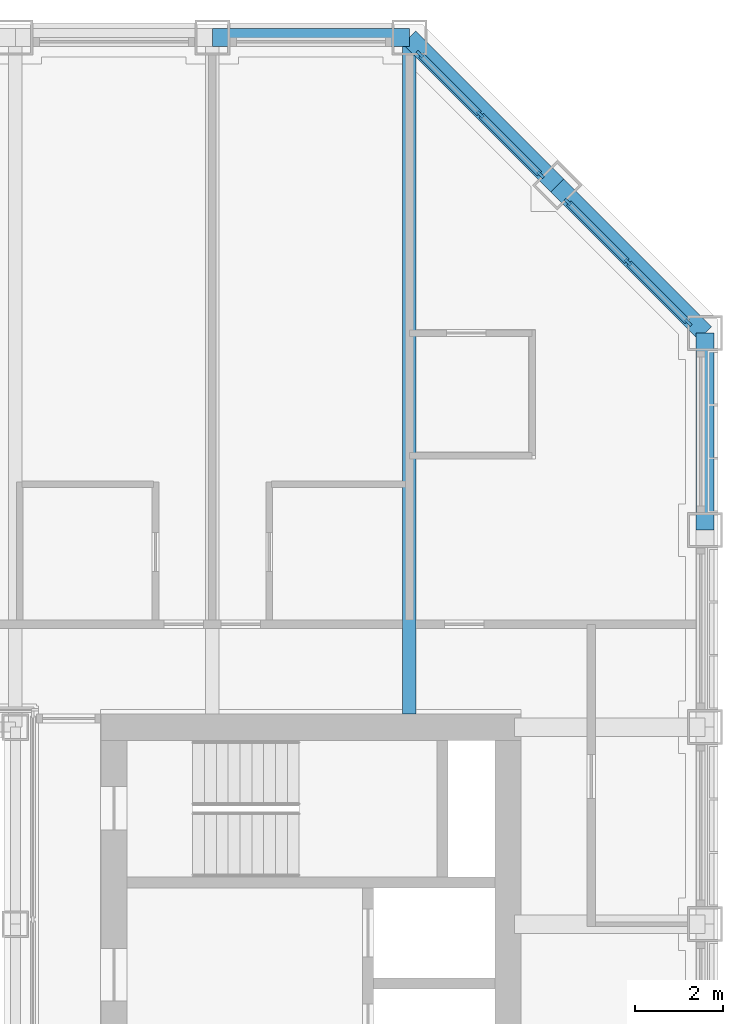
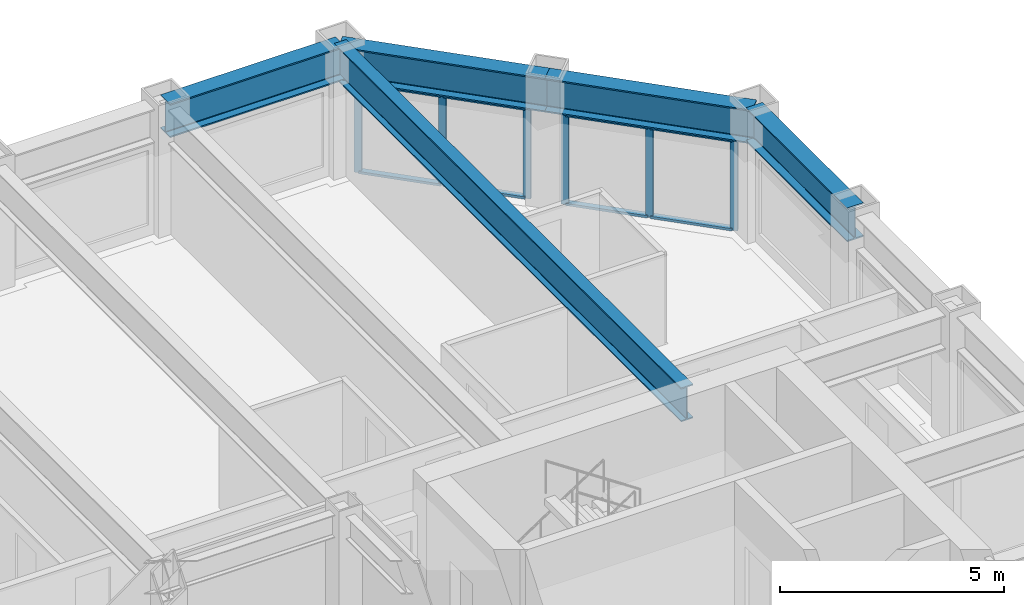
# One storey, part 8 of 17: 14 members, 5 beams, 2 elements without a shape of their own.
"""IFC4 building model written with IfcOpenShell, lengths in metres."""

from ifc_helpers import new_model, si_unit, direction, frame, origin, origin_2d, place, context, subcontext, project, spatial, rectangle, i_section, extrude, material, material_profile, profile_set, type_object, element, aggregate, save


model = new_model("IFC4")

# Units and contexts
model_context = context("Model", 3, precision=1e-05, world=origin(), true_north=direction((0.0, 1.0)))
body_context = subcontext(model_context, "Body", "Model", "MODEL_VIEW")
ifc_project = project(units=[si_unit("LENGTHUNIT", "METRE"), si_unit("AREAUNIT", "SQUARE_METRE"), si_unit("VOLUMEUNIT", "CUBIC_METRE"), si_unit("PLANEANGLEUNIT", "RADIAN"), si_unit("MASSUNIT", "GRAM", prefix="KILO")], contexts=[model_context])

# Site, building, storey
site_placement = place(None, origin())
site = spatial("IfcSite", under=ifc_project, at=site_placement, CompositionType="ELEMENT")
building_placement = place(site_placement, origin())
building = spatial("IfcBuilding", under=site, at=building_placement, Name="Msasa Ring Tower", CompositionType="ELEMENT")
storey_placement = place(building_placement, frame((0.0, 0.0, 150.800048828125)))
storey = spatial("IfcBuildingStorey", under=building, at=storey_placement, Name="L39", CompositionType="ELEMENT", Elevation=150.800048828125)

# Curtain wall, members
ifc_material_1 = material(Name="Aluminium curtain wall with clear glass", Category="aluminium")
curtain_wall_type = type_object("IfcCurtainWallType", Name="CW-C CHAMFER CORNER CURTAIN WALL", PredefinedType="NOTDEFINED", material=ifc_material_1)
curtain_wall_1_placement = place(storey_placement, origin())
curtain_wall_1 = element("IfcCurtainWall", 1, at=curtain_wall_1_placement, inside=storey, type_object=curtain_wall_type, Name="Chamfer corner curtain wall NE L39", PredefinedType="NOTDEFINED")
ifc_material_2 = material(Name="Aluminium mullion", Category="aluminium")
ifc_material_profile_1 = material_profile(ifc_material_2, rectangle(XDim=0.06494140625, YDim=0.179931640625, at=origin_2d()), Name="AL 65x180")
ifc_profile_set_1 = profile_set([ifc_material_profile_1], Name="Aluminium mullion")
member_type_1 = type_object("IfcMemberType", Name="CW-C MULLION 65x180", PredefinedType="MULLION", material=ifc_profile_set_1)
member_1_placement = place(storey_placement, frame((18.744873046875, 19.36376953125, 0.0), z_axis=(0.0, 0.0, 1.0), x_axis=(-0.707106781187, -0.707106781187, 0.0)))
member_1 = element("IfcMember", 2, at=member_1_placement, type_object=member_type_1, Name="CW-C mullion 1", PredefinedType="MULLION", context=body_context, shape_type="SweptSolid", body=[
    extrude(rectangle(XDim=0.06494140625, YDim=0.179931640625, at=origin_2d()), origin(), (0.0, 0.0, 1.0), 2.47900390625),
])
member_2_placement = place(storey_placement, frame((17.36669921875, 20.74169921875, 0.0), z_axis=(0.0, 0.0, 1.0), x_axis=(-0.707106781187, -0.707106781187, 0.0)))
member_2 = element("IfcMember", 3, at=member_2_placement, type_object=member_type_1, Name="CW-C mullion 2", PredefinedType="MULLION", context=body_context, shape_type="SweptSolid", body=[
    extrude(rectangle(XDim=0.06494140625, YDim=0.179931640625, at=origin_2d()), origin(), (0.0, 0.0, 1.0), 2.47900390625),
])
member_3_placement = place(storey_placement, frame((15.98876953125, 22.119873046875, 0.0), z_axis=(0.0, 0.0, 1.0), x_axis=(-0.707106781187, -0.707106781187, 0.0)))
member_3 = element("IfcMember", 4, at=member_3_placement, type_object=member_type_1, Name="CW-C mullion 3", PredefinedType="MULLION", context=body_context, shape_type="SweptSolid", body=[
    extrude(rectangle(XDim=0.06494140625, YDim=0.179931640625, at=origin_2d()), origin(), (0.0, 0.0, 1.0), 2.47900390625),
])

curtain_wall_2_placement = place(storey_placement, origin())
curtain_wall_2 = element("IfcCurtainWall", 5, at=curtain_wall_2_placement, inside=storey, type_object=curtain_wall_type, Name="Chamfer corner curtain wall NE L39", PredefinedType="NOTDEFINED")
member_4_placement = place(storey_placement, frame((22.119873046875, 15.98876953125, 0.0), z_axis=(0.0, 0.0, 1.0), x_axis=(-0.707106781187, -0.707106781187, 0.0)))
member_4 = element("IfcMember", 6, at=member_4_placement, type_object=member_type_1, Name="CW-C mullion 1", PredefinedType="MULLION", context=body_context, shape_type="SweptSolid", body=[
    extrude(rectangle(XDim=0.06494140625, YDim=0.179931640625, at=origin_2d()), origin(), (0.0, 0.0, 1.0), 2.47900390625),
])
member_5_placement = place(storey_placement, frame((20.74169921875, 17.36669921875, 0.0), z_axis=(0.0, 0.0, 1.0), x_axis=(-0.707106781187, -0.707106781187, 0.0)))
member_5 = element("IfcMember", 7, at=member_5_placement, type_object=member_type_1, Name="CW-C mullion 2", PredefinedType="MULLION", context=body_context, shape_type="SweptSolid", body=[
    extrude(rectangle(XDim=0.06494140625, YDim=0.179931640625, at=origin_2d()), origin(), (0.0, 0.0, 1.0), 2.47900390625),
])
member_6_placement = place(storey_placement, frame((19.36376953125, 18.744873046875, 0.0), z_axis=(0.0, 0.0, 1.0), x_axis=(-0.707106781187, -0.707106781187, 0.0)))
member_6 = element("IfcMember", 8, at=member_6_placement, type_object=member_type_1, Name="CW-C mullion 3", PredefinedType="MULLION", context=body_context, shape_type="SweptSolid", body=[
    extrude(rectangle(XDim=0.06494140625, YDim=0.179931640625, at=origin_2d()), origin(), (0.0, 0.0, 1.0), 2.47900390625),
])

# Member
ifc_material_3 = material(Name="Aluminium transom", Category="aluminium")
ifc_material_profile_2 = material_profile(ifc_material_3, rectangle(XDim=0.139892578125, YDim=0.06494140625, at=origin_2d()), Name="AL 65x140")
ifc_profile_set_2 = profile_set([ifc_material_profile_2], Name="Aluminium transom")
member_type_2 = type_object("IfcMemberType", Name="CW-C TRANSOM 65x140", PredefinedType="USERDEFINED", material=ifc_profile_set_2)
member_7_placement = place(storey_placement, frame((18.721923828125, 19.38671875, 0.032470703125), z_axis=(-0.707106781187, 0.707106781187, 0.0), x_axis=(-0.707106781187, -0.707106781187, 0.0)))
member_7 = element("IfcMember", 9, at=member_7_placement, type_object=member_type_2, Name="CW-C transom 1.1", ObjectType="TRANSOM", PredefinedType="USERDEFINED", context=body_context, shape_type="SweptSolid", body=[
    extrude(rectangle(XDim=0.139892578125, YDim=0.06494140625, at=origin_2d()), origin(), (0.0, 0.0, 1.0), 1.8837890625),
])

member_8_placement = place(storey_placement, frame((18.721923828125, 19.38671875, 2.446533203125), z_axis=(-0.707106781187, 0.707106781187, 0.0), x_axis=(-0.707106781187, -0.707106781187, 0.0)))
member_8 = element("IfcMember", 10, at=member_8_placement, type_object=member_type_2, Name="CW-C transom 1.2", ObjectType="TRANSOM", PredefinedType="USERDEFINED", context=body_context, shape_type="SweptSolid", body=[
    extrude(rectangle(XDim=0.139892578125, YDim=0.06494140625, at=origin_2d()), origin(), (0.0, 0.0, 1.0), 1.8837890625),
])

member_9_placement = place(storey_placement, frame((17.34375, 20.764892578125, 0.032470703125), z_axis=(-0.707106781187, 0.707106781187, 0.0), x_axis=(-0.707106781187, -0.707106781187, 0.0)))
member_9 = element("IfcMember", 11, at=member_9_placement, type_object=member_type_2, Name="CW-C transom 2.1", ObjectType="TRANSOM", PredefinedType="USERDEFINED", context=body_context, shape_type="SweptSolid", body=[
    extrude(rectangle(XDim=0.139892578125, YDim=0.06494140625, at=origin_2d()), origin(), (0.0, 0.0, 1.0), 1.8837890625),
])

member_10_placement = place(storey_placement, frame((17.34375, 20.764892578125, 2.446533203125), z_axis=(-0.707106781187, 0.707106781187, 0.0), x_axis=(-0.707106781187, -0.707106781187, 0.0)))
member_10 = element("IfcMember", 12, at=member_10_placement, type_object=member_type_2, Name="CW-C transom 2.2", ObjectType="TRANSOM", PredefinedType="USERDEFINED", context=body_context, shape_type="SweptSolid", body=[
    extrude(rectangle(XDim=0.139892578125, YDim=0.06494140625, at=origin_2d()), origin(), (0.0, 0.0, 1.0), 1.8837890625),
])

aggregate(curtain_wall_1, [member_1, member_2, member_3, member_7, member_8, member_9, member_10])

member_11_placement = place(storey_placement, frame((22.096923828125, 16.01171875, 0.032470703125), z_axis=(-0.707106781187, 0.707106781187, 0.0), x_axis=(-0.707106781187, -0.707106781187, 0.0)))
member_11 = element("IfcMember", 13, at=member_11_placement, type_object=member_type_2, Name="CW-C transom 1.1", ObjectType="TRANSOM", PredefinedType="USERDEFINED", context=body_context, shape_type="SweptSolid", body=[
    extrude(rectangle(XDim=0.139892578125, YDim=0.06494140625, at=origin_2d()), origin(), (0.0, 0.0, 1.0), 1.8837890625),
])

member_12_placement = place(storey_placement, frame((22.096923828125, 16.01171875, 2.446533203125), z_axis=(-0.707106781187, 0.707106781187, 0.0), x_axis=(-0.707106781187, -0.707106781187, 0.0)))
member_12 = element("IfcMember", 14, at=member_12_placement, type_object=member_type_2, Name="CW-C transom 1.2", ObjectType="TRANSOM", PredefinedType="USERDEFINED", context=body_context, shape_type="SweptSolid", body=[
    extrude(rectangle(XDim=0.139892578125, YDim=0.06494140625, at=origin_2d()), origin(), (0.0, 0.0, 1.0), 1.8837890625),
])

member_13_placement = place(storey_placement, frame((20.71875, 17.389892578125, 0.032470703125), z_axis=(-0.707106781187, 0.707106781187, 0.0), x_axis=(-0.707106781187, -0.707106781187, 0.0)))
member_13 = element("IfcMember", 15, at=member_13_placement, type_object=member_type_2, Name="CW-C transom 2.1", ObjectType="TRANSOM", PredefinedType="USERDEFINED", context=body_context, shape_type="SweptSolid", body=[
    extrude(rectangle(XDim=0.139892578125, YDim=0.06494140625, at=origin_2d()), origin(), (0.0, 0.0, 1.0), 1.8837890625),
])

member_14_placement = place(storey_placement, frame((20.71875, 17.389892578125, 2.446533203125), z_axis=(-0.707106781187, 0.707106781187, 0.0), x_axis=(-0.707106781187, -0.707106781187, 0.0)))
member_14 = element("IfcMember", 16, at=member_14_placement, type_object=member_type_2, Name="CW-C transom 2.2", ObjectType="TRANSOM", PredefinedType="USERDEFINED", context=body_context, shape_type="SweptSolid", body=[
    extrude(rectangle(XDim=0.139892578125, YDim=0.06494140625, at=origin_2d()), origin(), (0.0, 0.0, 1.0), 1.8837890625),
])

aggregate(curtain_wall_2, [member_4, member_5, member_6, member_11, member_12, member_13, member_14])

# Beams
ifc_material_4 = material(Name="Steel S355", Category="steel")
ifc_material_profile_3 = material_profile(ifc_material_4, i_section(OverallWidth=0.3076171875, OverallDepth=0.926513671875, WebThickness=0.01953125, FlangeThickness=0.031982421875, FilletRadius=0.01904296875, at=origin_2d()), Name="UB 914x305x289")
ifc_profile_set_3 = profile_set([ifc_material_profile_3], Name="Steel S355")
beam_type_1 = type_object("IfcBeamType", Name="FB3 UB 914x305x289", PredefinedType="BEAM", material=ifc_profile_set_3)
beam_1_placement = place(storey_placement, frame((15.75, 22.5, 2.936767578125), z_axis=(0.0, -1.0, 0.0), x_axis=(1.0, 0.0, 0.0)))
element("IfcBeam", 17, at=beam_1_placement, inside=storey, type_object=beam_type_1, Name="Floor beam N+15.75 under L40", PredefinedType="BEAM", context=body_context, shape_type="SweptSolid", body=[
    extrude(i_section(OverallWidth=0.3076171875, OverallDepth=0.926513671875, WebThickness=0.01953125, FlangeThickness=0.031982421875, FilletRadius=0.01904296875, at=origin_2d()), origin(), (0.0, 0.0, 1.0), 15.449951171875),
])
ifc_material_5 = material(Name="Steel S355", Category="steel")
ifc_material_profile_4 = material_profile(ifc_material_5, i_section(OverallWidth=0.42041015625, OverallDepth=0.9208984375, WebThickness=0.021484375, FlangeThickness=0.03662109375, FilletRadius=0.024169921875, at=origin_2d()), Name="UB 914x419x388")
ifc_profile_set_4 = profile_set([ifc_material_profile_4], Name="Steel S355")
beam_type_2 = type_object("IfcBeamType", Name="SB1 UB 914x419x388", PredefinedType="SPANDREL", material=ifc_profile_set_4)
beam_2_placement = place(storey_placement, frame((22.5, 11.25, 2.939453125), z_axis=(0.0, 1.0, 0.0), x_axis=(-1.0, 0.0, 0.0)))
element("IfcBeam", 18, at=beam_2_placement, inside=storey, type_object=beam_type_2, Name="Spandrel E+11.25 to E+15.75 under L40", PredefinedType="SPANDREL", context=body_context, shape_type="SweptSolid", body=[
    extrude(i_section(OverallWidth=0.42041015625, OverallDepth=0.9208984375, WebThickness=0.021484375, FlangeThickness=0.03662109375, FilletRadius=0.024169921875, at=origin_2d()), origin(), (0.0, 0.0, 1.0), 4.5),
])
for number, where, z_axis, x_axis, name in (
    (19, (22.5, 15.75, 2.939453125), (-0.707106781187, 0.707106781187, 0.0), (-0.707106781187, -0.707106781187, 0.0), "Spandrel E+15.75 to NE under L40"),
    (20, (19.125, 19.125, 2.939453125), (-0.707106781187, 0.707106781187, 0.0), (-0.707106781187, -0.707106781187, 0.0), "Spandrel NE to N+15.75 under L40"),
):
    element("IfcBeam", number, at=place(storey_placement, frame(where, z_axis=z_axis, x_axis=x_axis)), inside=storey, type_object=beam_type_2, Name=name, PredefinedType="SPANDREL", context=body_context, shape_type="SweptSolid", body=[
        extrude(i_section(OverallWidth=0.42041015625, OverallDepth=0.9208984375, WebThickness=0.021484375, FlangeThickness=0.03662109375, FilletRadius=0.024169921875, at=origin_2d()), origin(), (0.0, 0.0, 1.0), 4.77294921875),
    ])
beam_3_placement = place(storey_placement, frame((15.75, 22.5, 2.939453125), z_axis=(-1.0, 0.0, 0.0), x_axis=(0.0, -1.0, 0.0)))
element("IfcBeam", 21, at=beam_3_placement, inside=storey, type_object=beam_type_2, Name="Spandrel N+15.75 to N+11.25 under L40", PredefinedType="SPANDREL", context=body_context, shape_type="SweptSolid", body=[
    extrude(i_section(OverallWidth=0.42041015625, OverallDepth=0.9208984375, WebThickness=0.021484375, FlangeThickness=0.03662109375, FilletRadius=0.024169921875, at=origin_2d()), origin(), (0.0, 0.0, 1.0), 4.5),
])

save(model, "model.ifc")
